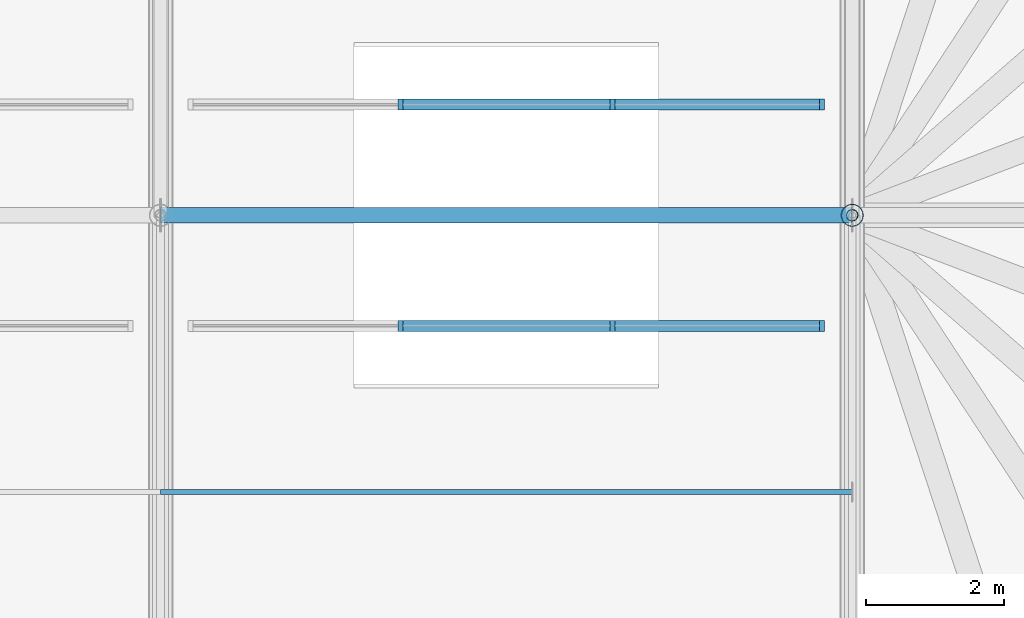
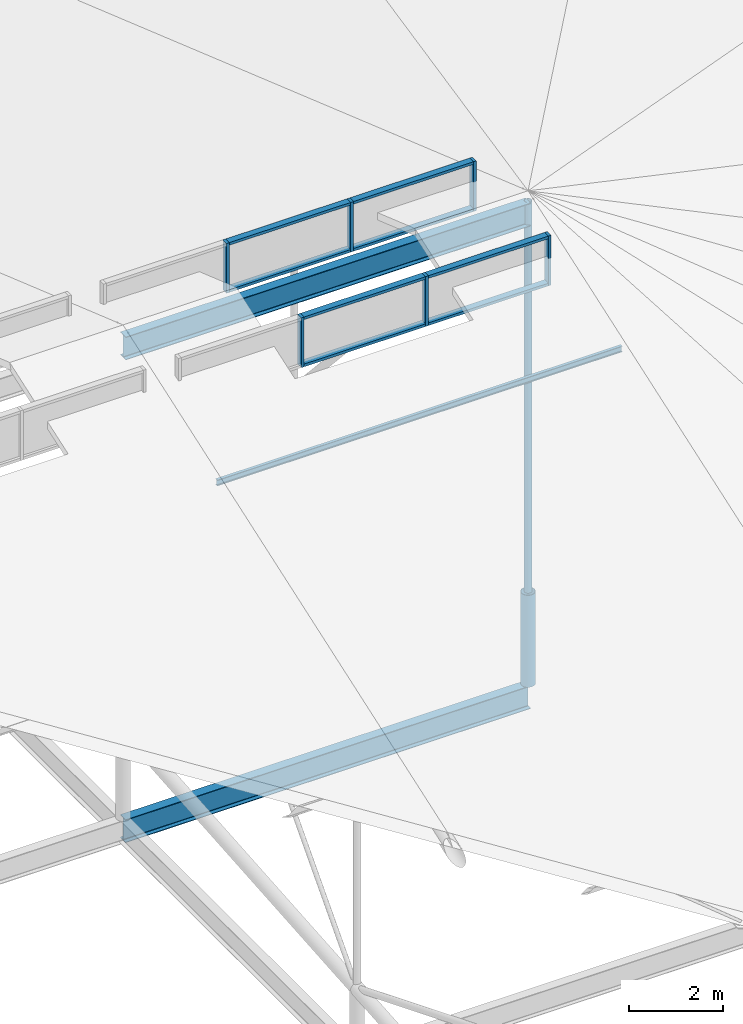
# One storey, part 67 of 93: 17 members, 2 beams, 2 elements without a shape of their own.
"""IFC4 building model written with IfcOpenShell, lengths in metres."""

from ifc_helpers import new_model, si_unit, derived_unit, direction, frame, origin, origin_2d_with_axis, place, context, subcontext, project, spatial, rectangle, hollow_circle, i_section, extrude, material, material_profile, profile_set, type_object, element, aggregate, save


model = new_model("IFC4")

# Units and contexts
model_context = context("Model", 3, precision=1e-05, world=origin(), true_north=direction((0.0, 1.0)))
body_context = subcontext(model_context, "Body", "Model", "MODEL_VIEW")
ifc_project = project(units=[si_unit("LENGTHUNIT", "METRE"), si_unit("AREAUNIT", "SQUARE_METRE"), si_unit("VOLUMEUNIT", "CUBIC_METRE"), si_unit("PLANEANGLEUNIT", "RADIAN"), si_unit("MASSUNIT", "GRAM", prefix="KILO"), derived_unit("THERMALTRANSMITTANCEUNIT", [(si_unit("POWERUNIT", "WATT"), 1), (si_unit("LENGTHUNIT", "METRE"), -2), (si_unit("THERMODYNAMICTEMPERATUREUNIT", "KELVIN"), -1)])], contexts=[model_context])

# Site, building, storey
site_placement = place(None, origin())
site = spatial("IfcSite", under=ifc_project, at=site_placement, CompositionType="ELEMENT")
building_placement = place(site_placement, origin())
building = spatial("IfcBuilding", under=site, at=building_placement, Name="Cinnabar Yard Market Hall", CompositionType="ELEMENT")
storey_placement = place(building_placement, frame((0.0, 0.0, 23.800048828125)))
storey = spatial("IfcBuildingStorey", under=building, at=storey_placement, Name="ROOF", CompositionType="ELEMENT", Elevation=23.800048828125)

# Beams
ifc_material_1 = material(Name="Steel Grade 300 (300 MPa)", Category="steel")
ifc_material_profile_1 = material_profile(ifc_material_1, i_section(OverallWidth=0.22802734375, OverallDepth=0.60205078125, WebThickness=0.010498046875, FlangeThickness=0.014892578125, FilletRadius=0.013916015625, at=origin_2d_with_axis()), Name="610UB101")
ifc_profile_set_1 = profile_set([ifc_material_profile_1], Name="Steel Grade 300 (300 MPa)")
beam_type = type_object("IfcBeamType", Name="BM-B02", PredefinedType="BEAM", material=ifc_profile_set_1)
for number, where, z_axis, x_axis, name in (
    (1, (136.0, 44.0, -9.700927734375), (1.0, 0.0, 0.0), (0.0, 1.0, 0.0), "Hall Longitudinal Tie Girder 00394"),
    (2, (136.0, 44.0, 2.89892578125), (1.0, 0.0, 0.0), (0.0, 1.0, 0.0), "Market Hall Ridge Girder 01597"),
):
    element("IfcBeam", number, at=place(storey_placement, frame(where, z_axis=z_axis, x_axis=x_axis)), inside=storey, type_object=beam_type, Name=name, PredefinedType="BEAM", context=body_context, shape_type="SweptSolid", body=[
        extrude(i_section(OverallWidth=0.22802734375, OverallDepth=0.60205078125, WebThickness=0.010498046875, FlangeThickness=0.014892578125, FilletRadius=0.013916015625, at=origin_2d_with_axis()), origin(), (0.0, 0.0, 1.0), 10.0),
    ])

# Curtain wall, members
ifc_material_2 = material(Name="Anodised aluminium ridge clerestory", Category="aluminium")
curtain_wall_type = type_object("IfcCurtainWallType", Name="CW-CWR092x13", PredefinedType="NOTDEFINED", material=ifc_material_2)
curtain_wall_1_placement = place(storey_placement, origin())
curtain_wall_1 = element("IfcCurtainWall", 3, at=curtain_wall_1_placement, inside=storey, type_object=curtain_wall_type, Name="South Ridge Clerestory 6", PredefinedType="NOTDEFINED")
ifc_material_3 = material(Name="Anodised bronze aluminium", Category="aluminium")
ifc_material_profile_2 = material_profile(ifc_material_3, rectangle(XDim=0.159912109375, YDim=0.070068359375, at=origin_2d_with_axis()), Name="MUL-CWR")
ifc_profile_set_2 = profile_set([ifc_material_profile_2], Name="Anodised bronze aluminium")
member_type_1 = type_object("IfcMemberType", Name="CWM-CWR", PredefinedType="MULLION", material=ifc_profile_set_2)
member_1_placement = place(storey_placement, frame((139.466552734375, 42.39990234375, 2.14990234375), z_axis=(0.0, 0.0, 1.0), x_axis=(0.0, 1.0, 0.0)))
member_1 = element("IfcMember", 4, at=member_1_placement, type_object=member_type_1, Name="CWR092x13 mullion 2", PredefinedType="MULLION", context=body_context, shape_type="SweptSolid", body=[
    extrude(rectangle(XDim=0.159912109375, YDim=0.070068359375, at=origin_2d_with_axis()), origin(), (0.0, 0.0, 1.0), 1.300048828125),
])
member_2_placement = place(storey_placement, frame((142.533447265625, 42.39990234375, 2.14990234375), z_axis=(0.0, 0.0, 1.0), x_axis=(0.0, 1.0, 0.0)))
member_2 = element("IfcMember", 5, at=member_2_placement, type_object=member_type_1, Name="CWR092x13 mullion 3", PredefinedType="MULLION", context=body_context, shape_type="SweptSolid", body=[
    extrude(rectangle(XDim=0.159912109375, YDim=0.070068359375, at=origin_2d_with_axis()), origin(), (0.0, 0.0, 1.0), 1.300048828125),
])
member_3_placement = place(storey_placement, frame((145.56494140625, 42.39990234375, 2.14990234375), z_axis=(0.0, 0.0, 1.0), x_axis=(0.0, 1.0, 0.0)))
member_3 = element("IfcMember", 6, at=member_3_placement, type_object=member_type_1, Name="CWR092x13 mullion 4", PredefinedType="MULLION", context=body_context, shape_type="SweptSolid", body=[
    extrude(rectangle(XDim=0.159912109375, YDim=0.070068359375, at=origin_2d_with_axis()), origin(), (0.0, 0.0, 1.0), 1.300048828125),
])

curtain_wall_2_placement = place(storey_placement, origin())
curtain_wall_2 = element("IfcCurtainWall", 7, at=curtain_wall_2_placement, inside=storey, type_object=curtain_wall_type, Name="North Ridge Clerestory 6", PredefinedType="NOTDEFINED")
member_4_placement = place(storey_placement, frame((145.56494140625, 45.60009765625, 2.14990234375), z_axis=(0.0, 0.0, 1.0), x_axis=(0.0, -1.0, 0.0)))
member_4 = element("IfcMember", 8, at=member_4_placement, type_object=member_type_1, Name="CWR092x13 mullion 1", PredefinedType="MULLION", context=body_context, shape_type="SweptSolid", body=[
    extrude(rectangle(XDim=0.159912109375, YDim=0.070068359375, at=origin_2d_with_axis()), origin(), (0.0, 0.0, 1.0), 1.300048828125),
])
member_5_placement = place(storey_placement, frame((142.533447265625, 45.60009765625, 2.14990234375), z_axis=(0.0, 0.0, 1.0), x_axis=(0.0, -1.0, 0.0)))
member_5 = element("IfcMember", 9, at=member_5_placement, type_object=member_type_1, Name="CWR092x13 mullion 2", PredefinedType="MULLION", context=body_context, shape_type="SweptSolid", body=[
    extrude(rectangle(XDim=0.159912109375, YDim=0.070068359375, at=origin_2d_with_axis()), origin(), (0.0, 0.0, 1.0), 1.300048828125),
])
member_6_placement = place(storey_placement, frame((139.466552734375, 45.60009765625, 2.14990234375), z_axis=(0.0, 0.0, 1.0), x_axis=(0.0, -1.0, 0.0)))
member_6 = element("IfcMember", 10, at=member_6_placement, type_object=member_type_1, Name="CWR092x13 mullion 3", PredefinedType="MULLION", context=body_context, shape_type="SweptSolid", body=[
    extrude(rectangle(XDim=0.159912109375, YDim=0.070068359375, at=origin_2d_with_axis()), origin(), (0.0, 0.0, 1.0), 1.300048828125),
])

# Member
ifc_material_profile_3 = material_profile(ifc_material_3, rectangle(XDim=0.159912109375, YDim=0.070068359375, at=origin_2d_with_axis()), Name="TRN-CWR")
ifc_profile_set_3 = profile_set([ifc_material_profile_3], Name="Anodised bronze aluminium")
member_type_2 = type_object("IfcMemberType", Name="CWT-CWR", PredefinedType="USERDEFINED", material=ifc_profile_set_3)
member_7_placement = place(storey_placement, frame((139.501708984375, 42.39990234375, 2.18505859375), z_axis=(1.0, 0.0, 0.0), x_axis=(0.0, 1.0, 0.0)))
member_7 = element("IfcMember", 11, at=member_7_placement, type_object=member_type_2, Name="CWR092x13 transom 2.1", ObjectType="TRANSOM", PredefinedType="USERDEFINED", context=body_context, shape_type="SweptSolid", body=[
    extrude(rectangle(XDim=0.159912109375, YDim=0.070068359375, at=origin_2d_with_axis()), origin(), (0.0, 0.0, 1.0), 2.99658203125),
])

member_8_placement = place(storey_placement, frame((139.501708984375, 42.39990234375, 3.4150390625), z_axis=(1.0, 0.0, 0.0), x_axis=(0.0, 1.0, 0.0)))
member_8 = element("IfcMember", 12, at=member_8_placement, type_object=member_type_2, Name="CWR092x13 transom 2.2", ObjectType="TRANSOM", PredefinedType="USERDEFINED", context=body_context, shape_type="SweptSolid", body=[
    extrude(rectangle(XDim=0.159912109375, YDim=0.070068359375, at=origin_2d_with_axis()), origin(), (0.0, 0.0, 1.0), 2.99658203125),
])

member_9_placement = place(storey_placement, frame((142.568359375, 42.39990234375, 2.18505859375), z_axis=(1.0, 0.0, 0.0), x_axis=(0.0, 1.0, 0.0)))
member_9 = element("IfcMember", 13, at=member_9_placement, type_object=member_type_2, Name="CWR092x13 transom 3.1", ObjectType="TRANSOM", PredefinedType="USERDEFINED", context=body_context, shape_type="SweptSolid", body=[
    extrude(rectangle(XDim=0.159912109375, YDim=0.070068359375, at=origin_2d_with_axis()), origin(), (0.0, 0.0, 1.0), 2.961669921875),
])

member_10_placement = place(storey_placement, frame((142.568359375, 42.39990234375, 3.4150390625), z_axis=(1.0, 0.0, 0.0), x_axis=(0.0, 1.0, 0.0)))
member_10 = element("IfcMember", 14, at=member_10_placement, type_object=member_type_2, Name="CWR092x13 transom 3.2", ObjectType="TRANSOM", PredefinedType="USERDEFINED", context=body_context, shape_type="SweptSolid", body=[
    extrude(rectangle(XDim=0.159912109375, YDim=0.070068359375, at=origin_2d_with_axis()), origin(), (0.0, 0.0, 1.0), 2.961669921875),
])

aggregate(curtain_wall_1, [member_1, member_2, member_3, member_7, member_8, member_9, member_10])

member_11_placement = place(storey_placement, frame((145.530029296875, 45.60009765625, 2.18505859375), z_axis=(-1.0, 0.0, 0.0), x_axis=(0.0, -1.0, 0.0)))
member_11 = element("IfcMember", 15, at=member_11_placement, type_object=member_type_2, Name="CWR092x13 transom 1.1", ObjectType="TRANSOM", PredefinedType="USERDEFINED", context=body_context, shape_type="SweptSolid", body=[
    extrude(rectangle(XDim=0.159912109375, YDim=0.070068359375, at=origin_2d_with_axis()), origin(), (0.0, 0.0, 1.0), 2.961669921875),
])

member_12_placement = place(storey_placement, frame((145.530029296875, 45.60009765625, 3.4150390625), z_axis=(-1.0, 0.0, 0.0), x_axis=(0.0, -1.0, 0.0)))
member_12 = element("IfcMember", 16, at=member_12_placement, type_object=member_type_2, Name="CWR092x13 transom 1.2", ObjectType="TRANSOM", PredefinedType="USERDEFINED", context=body_context, shape_type="SweptSolid", body=[
    extrude(rectangle(XDim=0.159912109375, YDim=0.070068359375, at=origin_2d_with_axis()), origin(), (0.0, 0.0, 1.0), 2.961669921875),
])

member_13_placement = place(storey_placement, frame((142.498291015625, 45.60009765625, 2.18505859375), z_axis=(-1.0, 0.0, 0.0), x_axis=(0.0, -1.0, 0.0)))
member_13 = element("IfcMember", 17, at=member_13_placement, type_object=member_type_2, Name="CWR092x13 transom 2.1", ObjectType="TRANSOM", PredefinedType="USERDEFINED", context=body_context, shape_type="SweptSolid", body=[
    extrude(rectangle(XDim=0.159912109375, YDim=0.070068359375, at=origin_2d_with_axis()), origin(), (0.0, 0.0, 1.0), 2.99658203125),
])

member_14_placement = place(storey_placement, frame((142.498291015625, 45.60009765625, 3.4150390625), z_axis=(-1.0, 0.0, 0.0), x_axis=(0.0, -1.0, 0.0)))
member_14 = element("IfcMember", 18, at=member_14_placement, type_object=member_type_2, Name="CWR092x13 transom 2.2", ObjectType="TRANSOM", PredefinedType="USERDEFINED", context=body_context, shape_type="SweptSolid", body=[
    extrude(rectangle(XDim=0.159912109375, YDim=0.070068359375, at=origin_2d_with_axis()), origin(), (0.0, 0.0, 1.0), 2.99658203125),
])

aggregate(curtain_wall_2, [member_4, member_5, member_6, member_11, member_12, member_13, member_14])

# Members
ifc_material_profile_4 = material_profile(ifc_material_1, i_section(OverallWidth=0.074951171875, OverallDepth=0.14990234375, WebThickness=0.0048828125, FlangeThickness=0.007080078125, FilletRadius=0.008056640625, at=origin_2d_with_axis()), Name="150UB14.0")
ifc_profile_set_4 = profile_set([ifc_material_profile_4], Name="Steel Grade 300 (300 MPa)")
member_type_3 = type_object("IfcMemberType", Name="MB-PU07", PredefinedType="PURLIN", material=ifc_profile_set_4)
member_15_placement = place(storey_placement, frame((136.0, 40.0, 1.767578125), z_axis=(1.0, 0.0, 0.0), x_axis=(0.0, 1.0, 0.0)))
element("IfcMember", 19, at=member_15_placement, inside=storey, type_object=member_type_3, Name="Hall Roof Purlin Y40 X136", PredefinedType="PURLIN", context=body_context, shape_type="SweptSolid", body=[
    extrude(i_section(OverallWidth=0.074951171875, OverallDepth=0.14990234375, WebThickness=0.0048828125, FlangeThickness=0.007080078125, FilletRadius=0.008056640625, at=origin_2d_with_axis()), origin(), (0.0, 0.0, 1.0), 10.0),
])
ifc_material_4 = material(Name="Spotted-gum glulam-clad steel Grade 350 (350 MPa)", Category="steel")
ifc_material_profile_5 = material_profile(ifc_material_4, hollow_circle(Radius=0.161865234375, WallThickness=0.009521484375, at=origin_2d_with_axis()), Name="323.9x9.5CHS")
ifc_profile_set_5 = profile_set([ifc_material_profile_5], Name="Spotted-gum glulam-clad steel Grade 350 (350 MPa)")
member_type_4 = type_object("IfcMemberType", Name="MB-ST01", PredefinedType="STRUT", material=ifc_profile_set_5)
member_16_placement = place(storey_placement, frame((146.0, 44.0, -9.400146484375), z_axis=(0.0, 0.0, 1.0), x_axis=(1.0, 0.0, 0.0)))
element("IfcMember", 20, at=member_16_placement, inside=storey, type_object=member_type_4, Name="Truss Bearing Post 146-44", PredefinedType="STRUT", context=body_context, shape_type="SweptSolid", body=[
    extrude(hollow_circle(Radius=0.161865234375, WallThickness=0.009521484375, at=origin_2d_with_axis()), origin(), (0.0, 0.0, 1.0), 2.400146484375),
])
ifc_material_5 = material(Name="Cold-formed steel C350L0", Category="steel")
ifc_material_profile_6 = material_profile(ifc_material_5, hollow_circle(Radius=0.084228515625, WallThickness=0.00634765625, at=origin_2d_with_axis()), Name="168.3x6.4CHS")
ifc_profile_set_6 = profile_set([ifc_material_profile_6], Name="Cold-formed steel C350L0")
member_type_5 = type_object("IfcMemberType", Name="MB-WB01", PredefinedType="STRUT", material=ifc_profile_set_6)
member_17_placement = place(storey_placement, frame((146.0, 44.0, -7.0), z_axis=(0.0, 0.0, 1.0), x_axis=(1.0, 0.0, 0.0)))
element("IfcMember", 21, at=member_17_placement, inside=storey, type_object=member_type_5, Name="Hall Truss 146 Post 3", PredefinedType="STRUT", context=body_context, shape_type="SweptSolid", body=[
    extrude(hollow_circle(Radius=0.084228515625, WallThickness=0.00634765625, at=origin_2d_with_axis()), origin(), (0.0, 0.0, 1.0), 10.199951171875),
])

save(model, "model.ifc")
